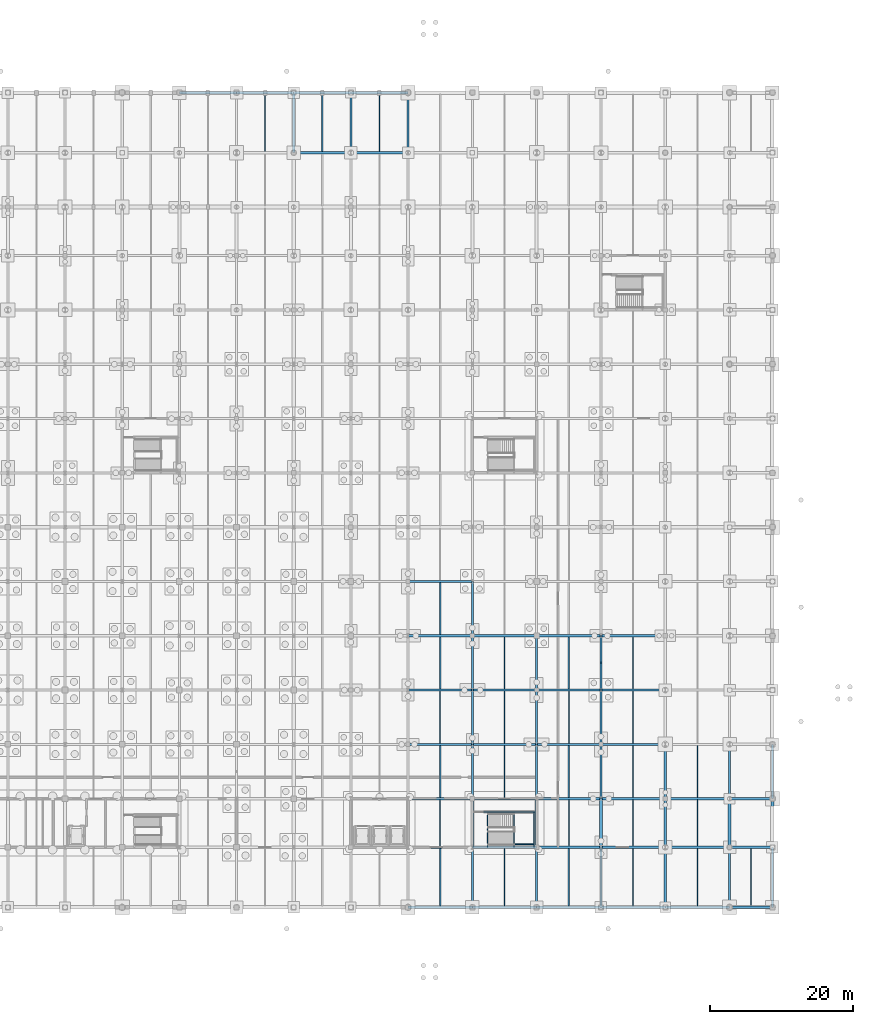
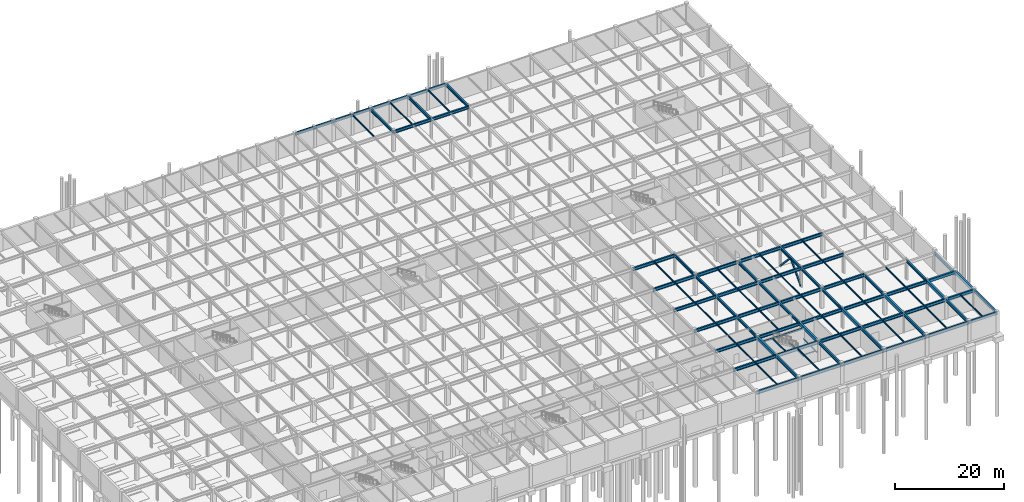
# One storey, part 35 of 53: 97 beams, 2 members.
"""IFC4 building model written with IfcOpenShell, lengths in metres."""

import ifcopenshell
import ifcopenshell.guid

model = None  # the IFC model being written
_history = None  # IfcOwnerHistory: only IFC2X3 demands one
_inside = {}  # id of a spatial element -> (the spatial element, [elements in it])
_under = {}  # id of a project, library or spatial element -> (it, [spatial elements below it])
_declared = {}  # id of a project -> (the project, [libraries it declares])
_typed = {}  # id of a type object -> (the type object, [elements of that type])
_made_of = {}  # id of a material, layer set ... -> (it, [elements and type objects made of it])


def new_model(schema):
    """Start an empty IFC model of exactly this schema.

    Asked for "IFC4X3", IfcOpenShell would pick the latest addendum, in which some entities
    have other attributes; the version numbers below select the first issue.
    IFC2X3 requires an IfcOwnerHistory on every rooted entity: one is made here for all.
    """
    global model, _history
    if schema == "IFC4X3":
        model = ifcopenshell.file(schema_version=(4, 3, 0, 0))
    else:
        model = ifcopenshell.file(schema=schema)
    _inside.clear()
    _under.clear()
    _declared.clear()
    _typed.clear()
    _made_of.clear()
    _history = None
    if model.schema == "IFC2X3":
        org = make("IfcOrganization", Name="unknown")
        user = make(
            "IfcPersonAndOrganization",
            ThePerson=make("IfcPerson", FamilyName="unknown"),
            TheOrganization=org,
        )
        app = make(
            "IfcApplication",
            ApplicationDeveloper=org,
            Version="unknown",
            ApplicationFullName="unknown",
            ApplicationIdentifier="unknown",
        )
        _history = make(
            "IfcOwnerHistory",
            OwningUser=user,
            OwningApplication=app,
            ChangeAction="ADDED",
            CreationDate=0,
        )
    return model


def make(cls, **values):
    """One entity of the class cls with the attributes given. An attribute that is None is left unset."""
    return model.create_entity(
        cls, **{name: value for name, value in values.items() if value is not None}
    )


def rooted(cls, **values):
    """An entity with a GlobalId (a new one), such as an element, a storey or a relation."""
    return make(cls, GlobalId=ifcopenshell.guid.new(), OwnerHistory=_history, **values)


def si_unit(unit_type, name, prefix=None):
    """IfcSIUnit, for example si_unit("LENGTHUNIT", "METRE", prefix="MILLI")."""
    return make("IfcSIUnit", UnitType=unit_type, Prefix=prefix, Name=name)


def assignment(units):
    """IfcUnitAssignment: the units of a project."""
    return None if units is None else make("IfcUnitAssignment", Units=units)


def point(xyz):
    """IfcCartesianPoint."""
    return None if xyz is None else make("IfcCartesianPoint", Coordinates=xyz)


def direction(xyz):
    """IfcDirection."""
    return None if xyz is None else make("IfcDirection", DirectionRatios=xyz)


def frame(location, z_axis=None, x_axis=None):
    """IfcAxis2Placement3D, a coordinate frame: its origin and axes. An axis left out is left unset."""
    return make(
        "IfcAxis2Placement3D",
        Location=point(location),
        Axis=direction(z_axis),
        RefDirection=direction(x_axis),
    )


def frame_2d(location, x_axis=None):
    """IfcAxis2Placement2D, a coordinate frame in the plane: its origin and x axis."""
    return make(
        "IfcAxis2Placement2D", Location=point(location), RefDirection=direction(x_axis)
    )


def origin():
    """The frame at (0, 0, 0) with its axes left unset."""
    return frame((0.0, 0.0, 0.0))


def origin_2d():
    """The frame at (0, 0) in the plane with its x axis left unset."""
    return frame_2d((0.0, 0.0))


def place(relative_to, where):
    """IfcLocalPlacement: puts the frame where relative to a parent placement (None: the world)."""
    return make(
        "IfcLocalPlacement", PlacementRelTo=relative_to, RelativePlacement=where
    )


def context(
    kind, dimensions, precision=None, world=None, true_north=None, identifier=None
):
    """IfcGeometricRepresentationContext, for example the 3D "Model" context."""
    return make(
        "IfcGeometricRepresentationContext",
        ContextIdentifier=identifier,
        ContextType=kind,
        CoordinateSpaceDimension=dimensions,
        Precision=precision,
        WorldCoordinateSystem=world,
        TrueNorth=true_north,
    )


def subcontext(parent, identifier, kind, view, scale=None):
    """IfcGeometricRepresentationSubContext, for example "Body" below "Model"."""
    return make(
        "IfcGeometricRepresentationSubContext",
        ContextIdentifier=identifier,
        ContextType=kind,
        ParentContext=parent,
        TargetScale=scale,
        TargetView=view,
    )


def project(units=None, contexts=None):
    """IfcProject with its units and contexts."""
    return rooted(
        "IfcProject",
        Name="project",
        RepresentationContexts=contexts,
        UnitsInContext=assignment(units),
    )


def spatial(cls, under=None, at=None, **own):
    """A site, building, storey or space (cls), placed at a placement, below another one or the project."""
    s = rooted(cls, ObjectPlacement=at, **own)
    if under is not None:
        _under.setdefault(under.id(), (under, []))[1].append(s)
    return s


def profile(cls, at=None, kind="AREA", **sizes):
    """A parametric profile (cls). Its sizes go by their IFC names, for example OverallWidth=200.0."""
    return make(cls, ProfileType=kind, Position=at, **sizes)


def rectangle(**sizes):
    """IfcRectangleProfileDef."""
    return profile("IfcRectangleProfileDef", **sizes)


def hollow_rectangle(**sizes):
    """IfcRectangleHollowProfileDef."""
    return profile("IfcRectangleHollowProfileDef", **sizes)


def i_section(**sizes):
    """IfcIShapeProfileDef."""
    return profile("IfcIShapeProfileDef", **sizes)


def extrude(swept, where, along, depth):
    """IfcExtrudedAreaSolid: the profile swept, set in the frame where, extruded along a direction by depth."""
    return make(
        "IfcExtrudedAreaSolid",
        SweptArea=swept,
        Position=where,
        ExtrudedDirection=direction(along),
        Depth=depth,
    )


def shape(context_of_items, identifier, shape_type, items):
    """IfcShapeRepresentation: the items that make up one representation, for example the "Body"."""
    return make(
        "IfcShapeRepresentation",
        ContextOfItems=context_of_items,
        RepresentationIdentifier=identifier,
        RepresentationType=shape_type,
        Items=items,
    )


def material(Name=None, Category=None):
    """IfcMaterial."""
    return make("IfcMaterial", Name=Name, Category=Category)


def material_profile(
    of_material, cross_section, Name=None, Category=None, Priority=None
):
    """IfcMaterialProfile: a cross section and its material."""
    return make(
        "IfcMaterialProfile",
        Name=Name,
        Material=of_material,
        Profile=cross_section,
        Priority=Priority,
        Category=Category,
    )


def profile_set(profiles, Name=None, composite=None):
    """IfcMaterialProfileSet."""
    return make(
        "IfcMaterialProfileSet",
        Name=Name,
        MaterialProfiles=profiles,
        CompositeProfile=composite,
    )


def made_of(thing, what):
    """Note that an element or type object is made of a material, layer set ...; save() writes the relation."""
    if what is not None:
        _made_of.setdefault(what.id(), (what, []))[1].append(thing)
    return thing


def type_object(cls, material=None, **own):
    """A type object (cls), such as IfcWallType, which elements share."""
    return made_of(rooted(cls, **own), material)


def element(
    cls,
    number,
    at=None,
    inside=None,
    cuts=None,
    type_object=None,
    material=None,
    context=None,
    identifier="Body",
    shape_type=None,
    held_by="IfcProductDefinitionShape",
    body=None,
    shapes=None,
    **own,
):
    """One element of the class cls, such as IfcWall. Its Tag is "e" and its number.

    at: its placement. inside: the storey or other place that contains it. cuts: it is an
    opening in that element (IfcRelVoidsElement). A single representation is given by context,
    identifier, shape_type and body (its items); several are given by shapes. held_by: the class
    of the entity that holds the representations. save() writes the other relations.
    """
    e = rooted(cls, Tag="e%d" % number, ObjectPlacement=at, **own)
    if body is not None:
        shapes = [shape(context, identifier, shape_type, body)]
    if shapes is not None:
        e.Representation = make(held_by, Representations=shapes)
    if inside is not None:
        _inside.setdefault(inside.id(), (inside, []))[1].append(e)
    if cuts is not None:
        rooted(
            "IfcRelVoidsElement", RelatingBuildingElement=cuts, RelatedOpeningElement=e
        )
    if type_object is not None:
        _typed.setdefault(type_object.id(), (type_object, []))[1].append(e)
    return made_of(e, material)


def aggregate(whole, parts):
    """IfcRelAggregates: a whole, such as a stair, and the parts it consists of."""
    return rooted("IfcRelAggregates", RelatingObject=whole, RelatedObjects=parts)


def save(model, path):
    """Write the relations noted so far, then the file.

    IfcRelAggregates (storeys below a building ...), IfcRelContainedInSpatialStructure (elements
    in a storey), IfcRelDefinesByType, IfcRelAssociatesMaterial and IfcRelDeclares: one each for
    every whole, place, type object, material and project.
    """
    for whole, parts in _under.values():
        aggregate(whole, parts)
    for where, things in _inside.values():
        rooted(
            "IfcRelContainedInSpatialStructure",
            RelatedElements=things,
            RelatingStructure=where,
        )
    for kind, things in _typed.values():
        rooted("IfcRelDefinesByType", RelatedObjects=things, RelatingType=kind)
    for what, things in _made_of.values():
        rooted("IfcRelAssociatesMaterial", RelatedObjects=things, RelatingMaterial=what)
    for by, libraries in _declared.values():
        rooted("IfcRelDeclares", RelatingContext=by, RelatedDefinitions=libraries)
    model.write(path)


model = new_model("IFC4")

# Units and contexts
model_context = context("Model", 3, precision=1e-05, world=origin(), true_north=direction((0.0, 1.0)))
body_context = subcontext(model_context, "Body", "Model", "MODEL_VIEW")
ifc_project = project(units=[si_unit("LENGTHUNIT", "METRE"), si_unit("AREAUNIT", "SQUARE_METRE"), si_unit("VOLUMEUNIT", "CUBIC_METRE"), si_unit("PLANEANGLEUNIT", "RADIAN"), si_unit("MASSUNIT", "GRAM", prefix="KILO")], contexts=[model_context])

# Site, building, storey
site_placement = place(None, origin())
site = spatial("IfcSite", under=ifc_project, at=site_placement, CompositionType="ELEMENT")
building_placement = place(site_placement, origin())
building = spatial("IfcBuilding", under=site, at=building_placement, Name="Shalkamar Park Central Library", CompositionType="ELEMENT")
storey_placement = place(building_placement, frame((0.0, 0.0, -4.800048828125)))
storey = spatial("IfcBuildingStorey", under=building, at=storey_placement, Name="B1", CompositionType="ELEMENT", Elevation=-4.800048828125)

# Beams
ifc_material_1 = material(Name="Steel S355", Category="steel")
ifc_material_profile_1 = material_profile(ifc_material_1, i_section(OverallWidth=0.10009765625, OverallDepth=0.199951171875, WebThickness=0.005615234375, FlangeThickness=0.008544921875, FilletRadius=0.011962890625, at=origin_2d()), Name="IPE 200")
ifc_profile_set_1 = profile_set([ifc_material_profile_1], Name="Steel S355")
beam_type_1 = type_object("IfcBeamType", Name="Composite Floor Joist IPE200", PredefinedType="JOIST", material=ifc_profile_set_1)
for number, where, z_axis, x_axis, name in (
    (1, (251.824951171875, 248.39990234375, 2.02001953125), (0.0, 1.0, 0.0), (-1.0, 0.0, 0.0), "Stair Half-Landing Beam ST-P3-B1-1"),
    (2, (254.64501953125, 248.39990234375, 2.02001953125), (0.0, 1.0, 0.0), (-1.0, 0.0, 0.0), "Stair Half-Landing Beam ST-P3-B1-2"),
):
    element("IfcBeam", number, at=place(storey_placement, frame(where, z_axis=z_axis, x_axis=x_axis)), inside=storey, type_object=beam_type_1, Name=name, PredefinedType="JOIST", context=body_context, shape_type="SweptSolid", body=[
        extrude(i_section(OverallWidth=0.10009765625, OverallDepth=0.199951171875, WebThickness=0.005615234375, FlangeThickness=0.008544921875, FilletRadius=0.011962890625, at=origin_2d()), origin(), (0.0, 0.0, 1.0), 4.9501953125),
    ])
beam_1_placement = place(storey_placement, frame((251.824951171875, 248.824951171875, 2.02001953125), z_axis=(1.0, 0.0, 0.0), x_axis=(0.0, 1.0, 0.0)))
element("IfcBeam", 3, at=beam_1_placement, inside=storey, type_object=beam_type_1, Name="Stair Half-Landing Cross Tie ST-P3-B1-3", PredefinedType="JOIST", context=body_context, shape_type="SweptSolid", body=[
    extrude(i_section(OverallWidth=0.10009765625, OverallDepth=0.199951171875, WebThickness=0.005615234375, FlangeThickness=0.008544921875, FilletRadius=0.011962890625, at=origin_2d()), origin(), (0.0, 0.0, 1.0), 2.820068359375),
])
ifc_material_profile_2 = material_profile(ifc_material_1, i_section(OverallWidth=0.14990234375, OverallDepth=0.300048828125, WebThickness=0.007080078125, FlangeThickness=0.0107421875, FilletRadius=0.014892578125, at=origin_2d()), Name="IPE 300")
ifc_profile_set_2 = profile_set([ifc_material_profile_2], Name="Steel S355")
beam_type_2 = type_object("IfcBeamType", Name="Composite Floor Joist IPE300", PredefinedType="JOIST", material=ifc_profile_set_2)
beam_2_placement = place(storey_placement, frame((241.5, 248.548095703125, 4.360107421875), z_axis=(0.0, 1.0, 0.0), x_axis=(-1.0, 0.0, 0.0)))
element("IfcBeam", 4, at=beam_2_placement, inside=storey, type_object=beam_type_2, Name="Composite Joist 16/B-1 (B1)", PredefinedType="JOIST", context=body_context, shape_type="SweptSolid", body=[
    extrude(i_section(OverallWidth=0.14990234375, OverallDepth=0.300048828125, WebThickness=0.007080078125, FlangeThickness=0.0107421875, FilletRadius=0.014892578125, at=origin_2d()), origin(), (0.0, 0.0, 1.0), 6.50390625),
])
for number, where, z_axis, x_axis, name in (
    (5, (241.5, 262.947998046875, 4.360107421875), (0.0, 1.0, 0.0), (-1.0, 0.0, 0.0), "Composite Joist 16/D-1 (B1)"),
    (6, (250.5, 262.947998046875, 4.360107421875), (0.0, 1.0, 0.0), (-1.0, 0.0, 0.0), "Composite Joist 17/D-1 (B1)"),
):
    element("IfcBeam", number, at=place(storey_placement, frame(where, z_axis=z_axis, x_axis=x_axis)), inside=storey, type_object=beam_type_2, Name=name, PredefinedType="JOIST", context=body_context, shape_type="SweptSolid", body=[
        extrude(i_section(OverallWidth=0.14990234375, OverallDepth=0.300048828125, WebThickness=0.007080078125, FlangeThickness=0.0107421875, FilletRadius=0.014892578125, at=origin_2d()), origin(), (0.0, 0.0, 1.0), 7.303955078125),
    ])
beam_3_placement = place(storey_placement, frame((259.5, 248.548095703125, 4.360107421875), z_axis=(0.0, 1.0, 0.0), x_axis=(-1.0, 0.0, 0.0)))
element("IfcBeam", 7, at=beam_3_placement, inside=storey, type_object=beam_type_2, Name="Composite Joist 18/B-1 (B1)", PredefinedType="JOIST", context=body_context, shape_type="SweptSolid", body=[
    extrude(i_section(OverallWidth=0.14990234375, OverallDepth=0.300048828125, WebThickness=0.007080078125, FlangeThickness=0.0107421875, FilletRadius=0.014892578125, at=origin_2d()), origin(), (0.0, 0.0, 1.0), 6.50390625),
])
beam_4_placement = place(storey_placement, frame((259.5, 262.947998046875, 4.360107421875), z_axis=(0.0, 1.0, 0.0), x_axis=(-1.0, 0.0, 0.0)))
element("IfcBeam", 8, at=beam_4_placement, inside=storey, type_object=beam_type_2, Name="Composite Joist 18/D-1 (B1)", PredefinedType="JOIST", context=body_context, shape_type="SweptSolid", body=[
    extrude(i_section(OverallWidth=0.14990234375, OverallDepth=0.300048828125, WebThickness=0.007080078125, FlangeThickness=0.0107421875, FilletRadius=0.014892578125, at=origin_2d()), origin(), (0.0, 0.0, 1.0), 7.303955078125),
])
beam_5_placement = place(storey_placement, frame((268.5, 248.548095703125, 4.360107421875), z_axis=(0.0, 1.0, 0.0), x_axis=(-1.0, 0.0, 0.0)))
element("IfcBeam", 9, at=beam_5_placement, inside=storey, type_object=beam_type_2, Name="Composite Joist 19/B-1 (B1)", PredefinedType="JOIST", context=body_context, shape_type="SweptSolid", body=[
    extrude(i_section(OverallWidth=0.14990234375, OverallDepth=0.300048828125, WebThickness=0.007080078125, FlangeThickness=0.0107421875, FilletRadius=0.014892578125, at=origin_2d()), origin(), (0.0, 0.0, 1.0), 6.50390625),
])
beam_6_placement = place(storey_placement, frame((268.5, 262.947998046875, 4.360107421875), z_axis=(0.0, 1.0, 0.0), x_axis=(-1.0, 0.0, 0.0)))
element("IfcBeam", 10, at=beam_6_placement, inside=storey, type_object=beam_type_2, Name="Composite Joist 19/D-1 (B1)", PredefinedType="JOIST", context=body_context, shape_type="SweptSolid", body=[
    extrude(i_section(OverallWidth=0.14990234375, OverallDepth=0.300048828125, WebThickness=0.007080078125, FlangeThickness=0.0107421875, FilletRadius=0.014892578125, at=origin_2d()), origin(), (0.0, 0.0, 1.0), 7.303955078125),
])
beam_7_placement = place(storey_placement, frame((277.5, 248.548095703125, 4.360107421875), z_axis=(0.0, 1.0, 0.0), x_axis=(-1.0, 0.0, 0.0)))
element("IfcBeam", 11, at=beam_7_placement, inside=storey, type_object=beam_type_2, Name="Composite Joist 20/B-1 (B1)", PredefinedType="JOIST", context=body_context, shape_type="SweptSolid", body=[
    extrude(i_section(OverallWidth=0.14990234375, OverallDepth=0.300048828125, WebThickness=0.007080078125, FlangeThickness=0.0107421875, FilletRadius=0.014892578125, at=origin_2d()), origin(), (0.0, 0.0, 1.0), 6.50390625),
])
ifc_material_profile_3 = material_profile(ifc_material_1, i_section(OverallWidth=0.159912109375, OverallDepth=0.330078125, WebThickness=0.007568359375, FlangeThickness=0.011474609375, FilletRadius=0.01806640625, at=origin_2d()), Name="IPE 330")
ifc_profile_set_3 = profile_set([ifc_material_profile_3], Name="Steel S355")
beam_type_3 = type_object("IfcBeamType", Name="Composite Floor Joist IPE330", PredefinedType="JOIST", material=ifc_profile_set_3)
for number, where, z_axis, x_axis, name in (
    (12, (217.0, 345.748046875, 4.455078125), (0.0, 1.0, 0.0), (-1.0, 0.0, 0.0), "Composite Joist 13/Q-1 (B1)"),
    (13, (225.0, 345.748046875, 4.455078125), (0.0, 1.0, 0.0), (-1.0, 0.0, 0.0), "Composite Joist 14/Q-1 (B1)"),
    (14, (233.0, 345.748046875, 4.455078125), (0.0, 1.0, 0.0), (-1.0, 0.0, 0.0), "Composite Joist 15/Q-1 (B1)"),
    (15, (241.5, 240.14794921875, 4.344970703125), (0.0, 1.0, 0.0), (-1.0, 0.0, 0.0), "Composite Joist 16/A-1 (B1)"),
):
    element("IfcBeam", number, at=place(storey_placement, frame(where, z_axis=z_axis, x_axis=x_axis)), inside=storey, type_object=beam_type_3, Name=name, PredefinedType="JOIST", context=body_context, shape_type="SweptSolid", body=[
        extrude(i_section(OverallWidth=0.159912109375, OverallDepth=0.330078125, WebThickness=0.007568359375, FlangeThickness=0.011474609375, FilletRadius=0.01806640625, at=origin_2d()), origin(), (0.0, 0.0, 1.0), 8.10400390625),
    ])
beam_8_placement = place(storey_placement, frame((241.5, 255.347900390625, 4.344970703125), z_axis=(0.0, 1.0, 0.0), x_axis=(-1.0, 0.0, 0.0)))
element("IfcBeam", 16, at=beam_8_placement, inside=storey, type_object=beam_type_3, Name="Composite Joist 16/C-1 (B1)", PredefinedType="JOIST", context=body_context, shape_type="SweptSolid", body=[
    extrude(i_section(OverallWidth=0.159912109375, OverallDepth=0.330078125, WebThickness=0.007568359375, FlangeThickness=0.011474609375, FilletRadius=0.01806640625, at=origin_2d()), origin(), (0.0, 0.0, 1.0), 7.30419921875),
])
for number, where, z_axis, x_axis, name in (
    (17, (241.5, 270.548095703125, 4.344970703125), (0.0, 1.0, 0.0), (-1.0, 0.0, 0.0), "Composite Joist 16/E-1 (B1)"),
    (18, (241.5, 278.14794921875, 4.344970703125), (0.0, 1.0, 0.0), (-1.0, 0.0, 0.0), "Composite Joist 16/F-1 (B1)"),
):
    element("IfcBeam", number, at=place(storey_placement, frame(where, z_axis=z_axis, x_axis=x_axis)), inside=storey, type_object=beam_type_3, Name=name, PredefinedType="JOIST", context=body_context, shape_type="SweptSolid", body=[
        extrude(i_section(OverallWidth=0.159912109375, OverallDepth=0.330078125, WebThickness=0.007568359375, FlangeThickness=0.011474609375, FilletRadius=0.01806640625, at=origin_2d()), origin(), (0.0, 0.0, 1.0), 7.303955078125),
    ])
beam_9_placement = place(storey_placement, frame((250.5, 240.14794921875, 4.344970703125), z_axis=(0.0, 1.0, 0.0), x_axis=(-1.0, 0.0, 0.0)))
element("IfcBeam", 19, at=beam_9_placement, inside=storey, type_object=beam_type_3, Name="Composite Joist 17/A-1 (B1)", PredefinedType="JOIST", context=body_context, shape_type="SweptSolid", body=[
    extrude(i_section(OverallWidth=0.159912109375, OverallDepth=0.330078125, WebThickness=0.007568359375, FlangeThickness=0.011474609375, FilletRadius=0.01806640625, at=origin_2d()), origin(), (0.0, 0.0, 1.0), 8.10400390625),
])
beam_10_placement = place(storey_placement, frame((250.5, 255.347900390625, 4.344970703125), z_axis=(0.0, 1.0, 0.0), x_axis=(-1.0, 0.0, 0.0)))
element("IfcBeam", 20, at=beam_10_placement, inside=storey, type_object=beam_type_3, Name="Composite Joist 17/C-1 (B1)", PredefinedType="JOIST", context=body_context, shape_type="SweptSolid", body=[
    extrude(i_section(OverallWidth=0.159912109375, OverallDepth=0.330078125, WebThickness=0.007568359375, FlangeThickness=0.011474609375, FilletRadius=0.01806640625, at=origin_2d()), origin(), (0.0, 0.0, 1.0), 7.30419921875),
])
beam_11_placement = place(storey_placement, frame((250.5, 270.548095703125, 4.344970703125), z_axis=(0.0, 1.0, 0.0), x_axis=(-1.0, 0.0, 0.0)))
element("IfcBeam", 21, at=beam_11_placement, inside=storey, type_object=beam_type_3, Name="Composite Joist 17/E-1 (B1)", PredefinedType="JOIST", context=body_context, shape_type="SweptSolid", body=[
    extrude(i_section(OverallWidth=0.159912109375, OverallDepth=0.330078125, WebThickness=0.007568359375, FlangeThickness=0.011474609375, FilletRadius=0.01806640625, at=origin_2d()), origin(), (0.0, 0.0, 1.0), 7.303955078125),
])
beam_12_placement = place(storey_placement, frame((259.5, 240.14794921875, 4.344970703125), z_axis=(0.0, 1.0, 0.0), x_axis=(-1.0, 0.0, 0.0)))
element("IfcBeam", 22, at=beam_12_placement, inside=storey, type_object=beam_type_3, Name="Composite Joist 18/A-1 (B1)", PredefinedType="JOIST", context=body_context, shape_type="SweptSolid", body=[
    extrude(i_section(OverallWidth=0.159912109375, OverallDepth=0.330078125, WebThickness=0.007568359375, FlangeThickness=0.011474609375, FilletRadius=0.01806640625, at=origin_2d()), origin(), (0.0, 0.0, 1.0), 8.10400390625),
])
beam_13_placement = place(storey_placement, frame((259.5, 255.347900390625, 4.344970703125), z_axis=(0.0, 1.0, 0.0), x_axis=(-1.0, 0.0, 0.0)))
element("IfcBeam", 23, at=beam_13_placement, inside=storey, type_object=beam_type_3, Name="Composite Joist 18/C-1 (B1)", PredefinedType="JOIST", context=body_context, shape_type="SweptSolid", body=[
    extrude(i_section(OverallWidth=0.159912109375, OverallDepth=0.330078125, WebThickness=0.007568359375, FlangeThickness=0.011474609375, FilletRadius=0.01806640625, at=origin_2d()), origin(), (0.0, 0.0, 1.0), 7.30419921875),
])
beam_14_placement = place(storey_placement, frame((259.5, 270.548095703125, 4.344970703125), z_axis=(0.0, 1.0, 0.0), x_axis=(-1.0, 0.0, 0.0)))
element("IfcBeam", 24, at=beam_14_placement, inside=storey, type_object=beam_type_3, Name="Composite Joist 18/E-1 (B1)", PredefinedType="JOIST", context=body_context, shape_type="SweptSolid", body=[
    extrude(i_section(OverallWidth=0.159912109375, OverallDepth=0.330078125, WebThickness=0.007568359375, FlangeThickness=0.011474609375, FilletRadius=0.01806640625, at=origin_2d()), origin(), (0.0, 0.0, 1.0), 7.303955078125),
])
beam_15_placement = place(storey_placement, frame((268.5, 240.14794921875, 4.344970703125), z_axis=(0.0, 1.0, 0.0), x_axis=(-1.0, 0.0, 0.0)))
element("IfcBeam", 25, at=beam_15_placement, inside=storey, type_object=beam_type_3, Name="Composite Joist 19/A-1 (B1)", PredefinedType="JOIST", context=body_context, shape_type="SweptSolid", body=[
    extrude(i_section(OverallWidth=0.159912109375, OverallDepth=0.330078125, WebThickness=0.007568359375, FlangeThickness=0.011474609375, FilletRadius=0.01806640625, at=origin_2d()), origin(), (0.0, 0.0, 1.0), 8.10400390625),
])
beam_16_placement = place(storey_placement, frame((268.5, 255.347900390625, 4.344970703125), z_axis=(0.0, 1.0, 0.0), x_axis=(-1.0, 0.0, 0.0)))
element("IfcBeam", 26, at=beam_16_placement, inside=storey, type_object=beam_type_3, Name="Composite Joist 19/C-1 (B1)", PredefinedType="JOIST", context=body_context, shape_type="SweptSolid", body=[
    extrude(i_section(OverallWidth=0.159912109375, OverallDepth=0.330078125, WebThickness=0.007568359375, FlangeThickness=0.011474609375, FilletRadius=0.01806640625, at=origin_2d()), origin(), (0.0, 0.0, 1.0), 7.30419921875),
])
beam_17_placement = place(storey_placement, frame((268.5, 270.548095703125, 4.344970703125), z_axis=(0.0, 1.0, 0.0), x_axis=(-1.0, 0.0, 0.0)))
element("IfcBeam", 27, at=beam_17_placement, inside=storey, type_object=beam_type_3, Name="Composite Joist 19/E-1 (B1)", PredefinedType="JOIST", context=body_context, shape_type="SweptSolid", body=[
    extrude(i_section(OverallWidth=0.159912109375, OverallDepth=0.330078125, WebThickness=0.007568359375, FlangeThickness=0.011474609375, FilletRadius=0.01806640625, at=origin_2d()), origin(), (0.0, 0.0, 1.0), 7.303955078125),
])
beam_18_placement = place(storey_placement, frame((277.5, 240.14794921875, 4.344970703125), z_axis=(0.0, 1.0, 0.0), x_axis=(-1.0, 0.0, 0.0)))
element("IfcBeam", 28, at=beam_18_placement, inside=storey, type_object=beam_type_3, Name="Composite Joist 20/A-1 (B1)", PredefinedType="JOIST", context=body_context, shape_type="SweptSolid", body=[
    extrude(i_section(OverallWidth=0.159912109375, OverallDepth=0.330078125, WebThickness=0.007568359375, FlangeThickness=0.011474609375, FilletRadius=0.01806640625, at=origin_2d()), origin(), (0.0, 0.0, 1.0), 8.10400390625),
])
beam_19_placement = place(storey_placement, frame((277.5, 255.347900390625, 4.344970703125), z_axis=(0.0, 1.0, 0.0), x_axis=(-1.0, 0.0, 0.0)))
element("IfcBeam", 29, at=beam_19_placement, inside=storey, type_object=beam_type_3, Name="Composite Joist 20/C-1 (B1)", PredefinedType="JOIST", context=body_context, shape_type="SweptSolid", body=[
    extrude(i_section(OverallWidth=0.159912109375, OverallDepth=0.330078125, WebThickness=0.007568359375, FlangeThickness=0.011474609375, FilletRadius=0.01806640625, at=origin_2d()), origin(), (0.0, 0.0, 1.0), 7.30419921875),
])
beam_20_placement = place(storey_placement, frame((285.0, 240.173095703125, 4.344970703125), z_axis=(0.0, 1.0, 0.0), x_axis=(-1.0, 0.0, 0.0)))
element("IfcBeam", 30, at=beam_20_placement, inside=storey, type_object=beam_type_3, Name="Composite Joist 21/A-1 (B1)", PredefinedType="JOIST", context=body_context, shape_type="SweptSolid", body=[
    extrude(i_section(OverallWidth=0.159912109375, OverallDepth=0.330078125, WebThickness=0.007568359375, FlangeThickness=0.011474609375, FilletRadius=0.01806640625, at=origin_2d()), origin(), (0.0, 0.0, 1.0), 8.053955078125),
])

# Members
ifc_material_profile_4 = material_profile(ifc_material_1, hollow_rectangle(XDim=0.300048828125, YDim=0.300048828125, WallThickness=0.01611328125, InnerFilletRadius=0.01611328125, OuterFilletRadius=0.02392578125, at=origin_2d()), Name="SHS 300x300x16")
ifc_profile_set_4 = profile_set([ifc_material_profile_4], Name="Steel S355")
member_type = type_object("IfcMemberType", Name="Diagonal Brace SHS300", PredefinedType="BRACE", material=ifc_profile_set_4)
for number, where, z_axis, x_axis, name in (
    (31, (264.0, 270.39990234375, 0.150146484375), (0.0, 0.683364048982, 0.730077788019), (-1.0, 0.0, 0.0), "Chevron Brace PD-E Leg A (B1)"),
    (32, (264.0, 278.0, 0.150146484375), (0.0, -0.683364048982, 0.730077788019), (1.0, 0.0, 0.0), "Chevron Brace PD-E Leg B (B1)"),
):
    element("IfcMember", number, at=place(storey_placement, frame(where, z_axis=z_axis, x_axis=x_axis)), inside=storey, type_object=member_type, Name=name, PredefinedType="BRACE", context=body_context, shape_type="SweptSolid", body=[
        extrude(hollow_rectangle(XDim=0.300048828125, YDim=0.300048828125, WallThickness=0.01611328125, InnerFilletRadius=0.01611328125, OuterFilletRadius=0.02392578125, at=origin_2d()), origin(), (0.0, 0.0, 1.0), 5.560791015625),
    ])

# Beams
ifc_material_profile_5 = material_profile(ifc_material_1, i_section(OverallWidth=0.300048828125, OverallDepth=0.60009765625, WebThickness=0.015380859375, FlangeThickness=0.030029296875, FilletRadius=0.027099609375, at=origin_2d()), Name="HEB 600")
ifc_profile_set_5 = profile_set([ifc_material_profile_5], Name="Steel S355")
beam_type_4 = type_object("IfcBeamType", Name="Primary Girder HEB600", PredefinedType="BEAM", material=ifc_profile_set_5)
beam_21_placement = place(storey_placement, frame((246.0, 255.199951171875, 4.2099609375), z_axis=(0.0, 1.0, 0.0), x_axis=(-1.0, 0.0, 0.0)))
element("IfcBeam", 33, at=beam_21_placement, inside=storey, type_object=beam_type_4, Name="Beam 17:C-D (B1)", PredefinedType="BEAM", context=body_context, shape_type="SweptSolid", body=[
    extrude(i_section(OverallWidth=0.300048828125, OverallDepth=0.60009765625, WebThickness=0.015380859375, FlangeThickness=0.030029296875, FilletRadius=0.027099609375, at=origin_2d()), origin(), (0.0, 0.0, 1.0), 7.60009765625),
])
beam_22_placement = place(storey_placement, frame((246.0, 262.800048828125, 4.2099609375), z_axis=(0.0, 1.0, 0.0), x_axis=(-1.0, 0.0, 0.0)))
element("IfcBeam", 34, at=beam_22_placement, inside=storey, type_object=beam_type_4, Name="Beam 17:D-E (B1)", PredefinedType="BEAM", context=body_context, shape_type="SweptSolid", body=[
    extrude(i_section(OverallWidth=0.300048828125, OverallDepth=0.60009765625, WebThickness=0.015380859375, FlangeThickness=0.030029296875, FilletRadius=0.027099609375, at=origin_2d()), origin(), (0.0, 0.0, 1.0), 7.599853515625),
])
for number, where, z_axis, x_axis, name in (
    (35, (246.0, 270.39990234375, 4.2099609375), (0.0, 1.0, 0.0), (-1.0, 0.0, 0.0), "Beam 17:E-F (B1)"),
    (36, (246.0, 278.0, 4.2099609375), (0.0, 1.0, 0.0), (-1.0, 0.0, 0.0), "Beam 17:F-G (B1)"),
    (37, (255.0, 255.199951171875, 4.2099609375), (0.0, 1.0, 0.0), (-1.0, 0.0, 0.0), "Beam 18:C-D (B1)"),
):
    element("IfcBeam", number, at=place(storey_placement, frame(where, z_axis=z_axis, x_axis=x_axis)), inside=storey, type_object=beam_type_4, Name=name, PredefinedType="BEAM", context=body_context, shape_type="SweptSolid", body=[
        extrude(i_section(OverallWidth=0.300048828125, OverallDepth=0.60009765625, WebThickness=0.015380859375, FlangeThickness=0.030029296875, FilletRadius=0.027099609375, at=origin_2d()), origin(), (0.0, 0.0, 1.0), 7.60009765625),
    ])
beam_23_placement = place(storey_placement, frame((255.0, 262.800048828125, 4.2099609375), z_axis=(0.0, 1.0, 0.0), x_axis=(-1.0, 0.0, 0.0)))
element("IfcBeam", 38, at=beam_23_placement, inside=storey, type_object=beam_type_4, Name="Beam 18:D-E (B1)", PredefinedType="BEAM", context=body_context, shape_type="SweptSolid", body=[
    extrude(i_section(OverallWidth=0.300048828125, OverallDepth=0.60009765625, WebThickness=0.015380859375, FlangeThickness=0.030029296875, FilletRadius=0.027099609375, at=origin_2d()), origin(), (0.0, 0.0, 1.0), 7.599853515625),
])
for number, where, z_axis, x_axis, name in (
    (39, (255.0, 270.39990234375, 4.2099609375), (0.0, 1.0, 0.0), (-1.0, 0.0, 0.0), "Beam 18:E-F (B1)"),
    (40, (264.0, 255.199951171875, 4.2099609375), (0.0, 1.0, 0.0), (-1.0, 0.0, 0.0), "Beam 19:C-D (B1)"),
):
    element("IfcBeam", number, at=place(storey_placement, frame(where, z_axis=z_axis, x_axis=x_axis)), inside=storey, type_object=beam_type_4, Name=name, PredefinedType="BEAM", context=body_context, shape_type="SweptSolid", body=[
        extrude(i_section(OverallWidth=0.300048828125, OverallDepth=0.60009765625, WebThickness=0.015380859375, FlangeThickness=0.030029296875, FilletRadius=0.027099609375, at=origin_2d()), origin(), (0.0, 0.0, 1.0), 7.60009765625),
    ])
beam_24_placement = place(storey_placement, frame((264.0, 262.800048828125, 4.2099609375), z_axis=(0.0, 1.0, 0.0), x_axis=(-1.0, 0.0, 0.0)))
element("IfcBeam", 41, at=beam_24_placement, inside=storey, type_object=beam_type_4, Name="Beam 19:D-E (B1)", PredefinedType="BEAM", context=body_context, shape_type="SweptSolid", body=[
    extrude(i_section(OverallWidth=0.300048828125, OverallDepth=0.60009765625, WebThickness=0.015380859375, FlangeThickness=0.030029296875, FilletRadius=0.027099609375, at=origin_2d()), origin(), (0.0, 0.0, 1.0), 7.599853515625),
])
for number, where, z_axis, x_axis, name in (
    (42, (264.0, 270.39990234375, 4.2099609375), (0.0, 1.0, 0.0), (-1.0, 0.0, 0.0), "Beam 19:E-F (B1)"),
    (43, (273.0, 255.199951171875, 4.2099609375), (0.0, 1.0, 0.0), (-1.0, 0.0, 0.0), "Beam 20:C-D (B1)"),
    (44, (282.0, 255.199951171875, 4.2099609375), (0.0, 1.0, 0.0), (-1.0, 0.0, 0.0), "Beam 21:C-D (B1)"),
    (45, (288.0, 255.199951171875, 3.699951171875), (0.0, 1.0, 0.0), (-1.0, 0.0, 0.0), "Beam 22:C-D (B1)"),
):
    element("IfcBeam", number, at=place(storey_placement, frame(where, z_axis=z_axis, x_axis=x_axis)), inside=storey, type_object=beam_type_4, Name=name, PredefinedType="BEAM", context=body_context, shape_type="SweptSolid", body=[
        extrude(i_section(OverallWidth=0.300048828125, OverallDepth=0.60009765625, WebThickness=0.015380859375, FlangeThickness=0.030029296875, FilletRadius=0.027099609375, at=origin_2d()), origin(), (0.0, 0.0, 1.0), 7.60009765625),
    ])
ifc_material_profile_6 = material_profile(ifc_material_1, i_section(OverallWidth=0.300048828125, OverallDepth=0.64990234375, WebThickness=0.01611328125, FlangeThickness=0.031005859375, FilletRadius=0.027099609375, at=origin_2d()), Name="HEB 650")
ifc_profile_set_6 = profile_set([ifc_material_profile_6], Name="Steel S355")
beam_type_5 = type_object("IfcBeamType", Name="Primary Girder HEB650", PredefinedType="BEAM", material=ifc_profile_set_6)
for number, where, z_axis, x_axis, name in (
    (46, (221.0, 345.60009765625, 4.18505859375), (1.0, 0.0, 0.0), (0.0, 1.0, 0.0), "Beam Q:14-15 (B1)"),
    (47, (229.0, 345.60009765625, 4.18505859375), (1.0, 0.0, 0.0), (0.0, 1.0, 0.0), "Beam Q:15-16 (B1)"),
    (48, (205.0, 354.0, 4.295166015625), (1.0, 0.0, 0.0), (0.0, 1.0, 0.0), "Beam R:12-13 (B1)"),
    (49, (213.0, 354.0, 4.295166015625), (1.0, 0.0, 0.0), (0.0, 1.0, 0.0), "Beam R:13-14 (B1)"),
    (50, (221.0, 354.0, 4.295166015625), (1.0, 0.0, 0.0), (0.0, 1.0, 0.0), "Beam R:14-15 (B1)"),
    (51, (229.0, 354.0, 4.18505859375), (1.0, 0.0, 0.0), (0.0, 1.0, 0.0), "Beam R:15-16 (B1)"),
):
    element("IfcBeam", number, at=place(storey_placement, frame(where, z_axis=z_axis, x_axis=x_axis)), inside=storey, type_object=beam_type_5, Name=name, PredefinedType="BEAM", context=body_context, shape_type="SweptSolid", body=[
        extrude(i_section(OverallWidth=0.300048828125, OverallDepth=0.64990234375, WebThickness=0.01611328125, FlangeThickness=0.031005859375, FilletRadius=0.027099609375, at=origin_2d()), origin(), (0.0, 0.0, 1.0), 8.0),
    ])
for number, where, z_axis, x_axis, name in (
    (52, (221.0, 345.60009765625, 4.18505859375), (0.0, 1.0, 0.0), (-1.0, 0.0, 0.0), "Beam 14:Q-R (B1)"),
    (53, (229.0, 345.60009765625, 4.18505859375), (0.0, 1.0, 0.0), (-1.0, 0.0, 0.0), "Beam 15:Q-R (B1)"),
    (54, (237.0, 345.60009765625, 4.18505859375), (0.0, 1.0, 0.0), (-1.0, 0.0, 0.0), "Beam 16:Q-R (B1)"),
    (55, (246.0, 240.0, 4.18505859375), (0.0, 1.0, 0.0), (-1.0, 0.0, 0.0), "Beam 17:A-B (B1)"),
    (56, (255.0, 240.0, 4.18505859375), (0.0, 1.0, 0.0), (-1.0, 0.0, 0.0), "Beam 18:A-B (B1)"),
    (57, (264.0, 240.0, 4.18505859375), (0.0, 1.0, 0.0), (-1.0, 0.0, 0.0), "Beam 19:A-B (B1)"),
    (58, (273.0, 240.0, 4.18505859375), (0.0, 1.0, 0.0), (-1.0, 0.0, 0.0), "Beam 20:A-B (B1)"),
    (59, (282.0, 240.0, 4.18505859375), (0.0, 1.0, 0.0), (-1.0, 0.0, 0.0), "Beam 21:A-B (B1)"),
    (60, (288.0, 240.0, 4.18505859375), (0.0, 1.0, 0.0), (-1.0, 0.0, 0.0), "Beam 22:A-B (B1)"),
):
    element("IfcBeam", number, at=place(storey_placement, frame(where, z_axis=z_axis, x_axis=x_axis)), inside=storey, type_object=beam_type_5, Name=name, PredefinedType="BEAM", context=body_context, shape_type="SweptSolid", body=[
        extrude(i_section(OverallWidth=0.300048828125, OverallDepth=0.64990234375, WebThickness=0.01611328125, FlangeThickness=0.031005859375, FilletRadius=0.027099609375, at=origin_2d()), origin(), (0.0, 0.0, 1.0), 8.39990234375),
    ])
ifc_material_profile_7 = material_profile(ifc_material_1, i_section(OverallWidth=0.300048828125, OverallDepth=0.699951171875, WebThickness=0.01708984375, FlangeThickness=0.031982421875, FilletRadius=0.027099609375, at=origin_2d()), Name="HEB 700")
ifc_profile_set_7 = profile_set([ifc_material_profile_7], Name="Steel S355")
beam_type_6 = type_object("IfcBeamType", Name="Primary Girder HEB700", PredefinedType="BEAM", material=ifc_profile_set_7)
for number, where, z_axis, x_axis, name in (
    (61, (237.0, 240.0, 4.16015625), (1.0, 0.0, 0.0), (0.0, 1.0, 0.0), "Beam A:16-17 (B1)"),
    (62, (246.0, 240.0, 4.16015625), (1.0, 0.0, 0.0), (0.0, 1.0, 0.0), "Beam A:17-18 (B1)"),
    (63, (255.0, 240.0, 4.16015625), (1.0, 0.0, 0.0), (0.0, 1.0, 0.0), "Beam A:18-19 (B1)"),
    (64, (264.0, 240.0, 4.16015625), (1.0, 0.0, 0.0), (0.0, 1.0, 0.0), "Beam A:19-20 (B1)"),
    (65, (273.0, 240.0, 4.16015625), (1.0, 0.0, 0.0), (0.0, 1.0, 0.0), "Beam A:20-21 (B1)"),
    (66, (237.0, 248.39990234375, 4.16015625), (1.0, 0.0, 0.0), (0.0, 1.0, 0.0), "Beam B:16-17 (B1)"),
    (67, (246.0, 248.39990234375, 4.16015625), (1.0, 0.0, 0.0), (0.0, 1.0, 0.0), "Beam B:17-18 (B1)"),
    (68, (255.0, 248.39990234375, 4.16015625), (1.0, 0.0, 0.0), (0.0, 1.0, 0.0), "Beam B:18-19 (B1)"),
    (69, (264.0, 248.39990234375, 4.16015625), (1.0, 0.0, 0.0), (0.0, 1.0, 0.0), "Beam B:19-20 (B1)"),
    (70, (273.0, 248.39990234375, 4.16015625), (1.0, 0.0, 0.0), (0.0, 1.0, 0.0), "Beam B:20-21 (B1)"),
    (71, (237.0, 255.199951171875, 4.16015625), (1.0, 0.0, 0.0), (0.0, 1.0, 0.0), "Beam C:16-17 (B1)"),
    (72, (246.0, 255.199951171875, 4.16015625), (1.0, 0.0, 0.0), (0.0, 1.0, 0.0), "Beam C:17-18 (B1)"),
    (73, (255.0, 255.199951171875, 4.16015625), (1.0, 0.0, 0.0), (0.0, 1.0, 0.0), "Beam C:18-19 (B1)"),
    (74, (264.0, 255.199951171875, 4.16015625), (1.0, 0.0, 0.0), (0.0, 1.0, 0.0), "Beam C:19-20 (B1)"),
    (75, (273.0, 255.199951171875, 4.16015625), (1.0, 0.0, 0.0), (0.0, 1.0, 0.0), "Beam C:20-21 (B1)"),
    (76, (237.0, 262.800048828125, 4.16015625), (1.0, 0.0, 0.0), (0.0, 1.0, 0.0), "Beam D:16-17 (B1)"),
    (77, (246.0, 262.800048828125, 4.16015625), (1.0, 0.0, 0.0), (0.0, 1.0, 0.0), "Beam D:17-18 (B1)"),
    (78, (255.0, 262.800048828125, 4.16015625), (1.0, 0.0, 0.0), (0.0, 1.0, 0.0), "Beam D:18-19 (B1)"),
    (79, (264.0, 262.800048828125, 4.16015625), (1.0, 0.0, 0.0), (0.0, 1.0, 0.0), "Beam D:19-20 (B1)"),
    (80, (237.0, 270.39990234375, 4.16015625), (1.0, 0.0, 0.0), (0.0, 1.0, 0.0), "Beam E:16-17 (B1)"),
    (81, (246.0, 270.39990234375, 4.16015625), (1.0, 0.0, 0.0), (0.0, 1.0, 0.0), "Beam E:17-18 (B1)"),
    (82, (255.0, 270.39990234375, 4.16015625), (1.0, 0.0, 0.0), (0.0, 1.0, 0.0), "Beam E:18-19 (B1)"),
    (83, (264.0, 270.39990234375, 4.16015625), (1.0, 0.0, 0.0), (0.0, 1.0, 0.0), "Beam E:19-20 (B1)"),
    (84, (237.0, 278.0, 4.16015625), (1.0, 0.0, 0.0), (0.0, 1.0, 0.0), "Beam F:16-17 (B1)"),
    (85, (246.0, 278.0, 4.16015625), (1.0, 0.0, 0.0), (0.0, 1.0, 0.0), "Beam F:17-18 (B1)"),
    (86, (255.0, 278.0, 4.16015625), (1.0, 0.0, 0.0), (0.0, 1.0, 0.0), "Beam F:18-19 (B1)"),
    (87, (264.0, 278.0, 4.16015625), (1.0, 0.0, 0.0), (0.0, 1.0, 0.0), "Beam F:19-20 (B1)"),
    (88, (237.0, 285.60009765625, 4.16015625), (1.0, 0.0, 0.0), (0.0, 1.0, 0.0), "Beam G:16-17 (B1)"),
):
    element("IfcBeam", number, at=place(storey_placement, frame(where, z_axis=z_axis, x_axis=x_axis)), inside=storey, type_object=beam_type_6, Name=name, PredefinedType="BEAM", context=body_context, shape_type="SweptSolid", body=[
        extrude(i_section(OverallWidth=0.300048828125, OverallDepth=0.699951171875, WebThickness=0.01708984375, FlangeThickness=0.031982421875, FilletRadius=0.027099609375, at=origin_2d()), origin(), (0.0, 0.0, 1.0), 9.0),
    ])
ifc_material_profile_8 = material_profile(ifc_material_1, i_section(OverallWidth=0.169921875, OverallDepth=0.360107421875, WebThickness=0.008056640625, FlangeThickness=0.0126953125, FilletRadius=0.01806640625, at=origin_2d()), Name="IPE 360")
ifc_profile_set_8 = profile_set([ifc_material_profile_8], Name="Steel S355")
beam_type_7 = type_object("IfcBeamType", Name="Primary Girder IPE360", PredefinedType="BEAM", material=ifc_profile_set_8)
beam_25_placement = place(storey_placement, frame((246.087890625, 253.35009765625, 4.330078125), z_axis=(1.0, 0.0, 0.0), x_axis=(0.0, 1.0, 0.0)))
element("IfcBeam", 89, at=beam_25_placement, inside=storey, type_object=beam_type_7, Name="CORE-P3 Stairwell Divider Beam (B1)", PredefinedType="BEAM", context=body_context, shape_type="SweptSolid", body=[
    extrude(i_section(OverallWidth=0.169921875, OverallDepth=0.360107421875, WebThickness=0.008056640625, FlangeThickness=0.0126953125, FilletRadius=0.01806640625, at=origin_2d()), origin(), (0.0, 0.0, 1.0), 8.82421875),
])
ifc_material_profile_9 = material_profile(ifc_material_1, hollow_rectangle(XDim=0.199951171875, YDim=0.300048828125, WallThickness=0.011962890625, InnerFilletRadius=0.011962890625, OuterFilletRadius=0.01806640625, at=origin_2d()), Name="RHS 300x200x12")
ifc_profile_set_9 = profile_set([ifc_material_profile_9], Name="Steel S355")
beam_type_8 = type_object("IfcBeamType", Name="Stair Trimmer Box RHS300x200", PredefinedType="BEAM", material=ifc_profile_set_9)
beam_26_placement = place(storey_placement, frame((248.125, 248.39990234375, 4.360107421875), z_axis=(0.0, 1.0, 0.0), x_axis=(-1.0, 0.0, 0.0)))
element("IfcBeam", 90, at=beam_26_placement, inside=storey, type_object=beam_type_8, Name="Stair Arrival Trimmer Girder ST-P3-B1", PredefinedType="BEAM", context=body_context, shape_type="SweptSolid", body=[
    extrude(hollow_rectangle(XDim=0.199951171875, YDim=0.300048828125, WallThickness=0.011962890625, InnerFilletRadius=0.011962890625, OuterFilletRadius=0.01806640625, at=origin_2d()), origin(), (0.0, 0.0, 1.0), 4.9501953125),
])
ifc_material_2 = material(Name="Concrete C35/45", Category="concrete")
ifc_material_profile_10 = material_profile(ifc_material_2, rectangle(XDim=0.35009765625, YDim=0.60009765625, at=origin_2d()), Name="RC 350x600")
ifc_profile_set_10 = profile_set([ifc_material_profile_10], Name="Concrete C35/45")
beam_type_9 = type_object("IfcBeamType", Name="Substructure Plinth Beam RC350x600", PredefinedType="BEAM", material=ifc_profile_set_10)
for number, where, z_axis, x_axis, name in (
    (91, (282.0, 240.0, 4.2099609375), (1.0, 0.0, 0.0), (0.0, 1.0, 0.0), "Beam A:21-22 (B1)"),
    (92, (282.0, 248.39990234375, 4.2099609375), (1.0, 0.0, 0.0), (0.0, 1.0, 0.0), "Beam B:21-22 (B1)"),
    (93, (282.0, 255.199951171875, 4.2099609375), (1.0, 0.0, 0.0), (0.0, 1.0, 0.0), "Beam C:21-22 (B1)"),
):
    element("IfcBeam", number, at=place(storey_placement, frame(where, z_axis=z_axis, x_axis=x_axis)), inside=storey, type_object=beam_type_9, Name=name, PredefinedType="BEAM", context=body_context, shape_type="SweptSolid", body=[
        extrude(rectangle(XDim=0.35009765625, YDim=0.60009765625, at=origin_2d()), origin(), (0.0, 0.0, 1.0), 6.0),
    ])
ifc_material_profile_11 = material_profile(ifc_material_2, rectangle(XDim=0.39990234375, YDim=0.699951171875, at=origin_2d()), Name="RC 400x700")
ifc_profile_set_11 = profile_set([ifc_material_profile_11], Name="Concrete C35/45")
beam_type_10 = type_object("IfcBeamType", Name="Substructure Plinth Beam RC400x700", PredefinedType="BEAM", material=ifc_profile_set_11)
for number, where, z_axis, x_axis, name in (
    (94, (246.0, 248.39990234375, 4.16015625), (0.0, 1.0, 0.0), (-1.0, 0.0, 0.0), "Beam 17:B-C (B1)"),
    (95, (255.0, 248.39990234375, 4.16015625), (0.0, 1.0, 0.0), (-1.0, 0.0, 0.0), "Beam 18:B-C (B1)"),
    (96, (264.0, 248.39990234375, 4.16015625), (0.0, 1.0, 0.0), (-1.0, 0.0, 0.0), "Beam 19:B-C (B1)"),
    (97, (273.0, 248.39990234375, 4.16015625), (0.0, 1.0, 0.0), (-1.0, 0.0, 0.0), "Beam 20:B-C (B1)"),
    (98, (282.0, 248.39990234375, 4.16015625), (0.0, 1.0, 0.0), (-1.0, 0.0, 0.0), "Beam 21:B-C (B1)"),
    (99, (288.0, 248.39990234375, 4.16015625), (0.0, 1.0, 0.0), (-1.0, 0.0, 0.0), "Beam 22:B-C (B1)"),
):
    element("IfcBeam", number, at=place(storey_placement, frame(where, z_axis=z_axis, x_axis=x_axis)), inside=storey, type_object=beam_type_10, Name=name, PredefinedType="BEAM", context=body_context, shape_type="SweptSolid", body=[
        extrude(rectangle(XDim=0.39990234375, YDim=0.699951171875, at=origin_2d()), origin(), (0.0, 0.0, 1.0), 6.800048828125),
    ])

save(model, "model.ifc")
